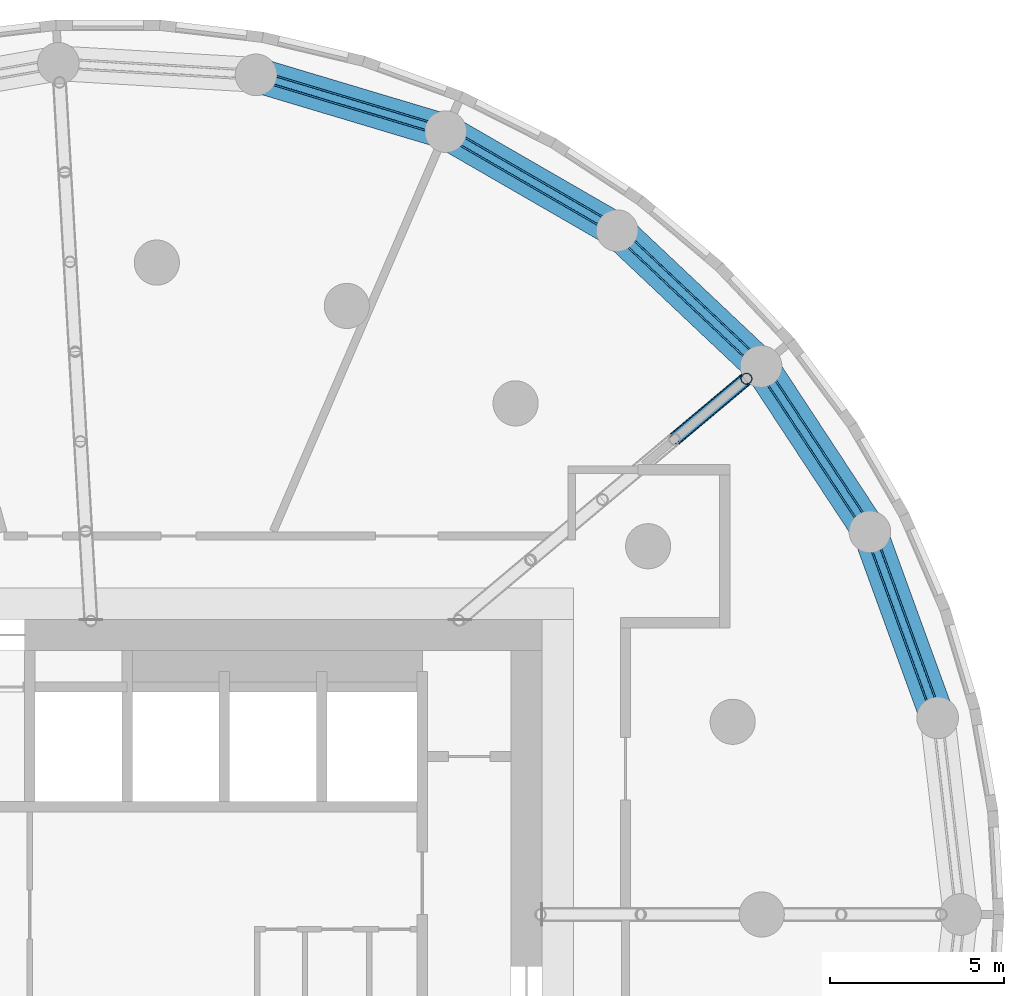
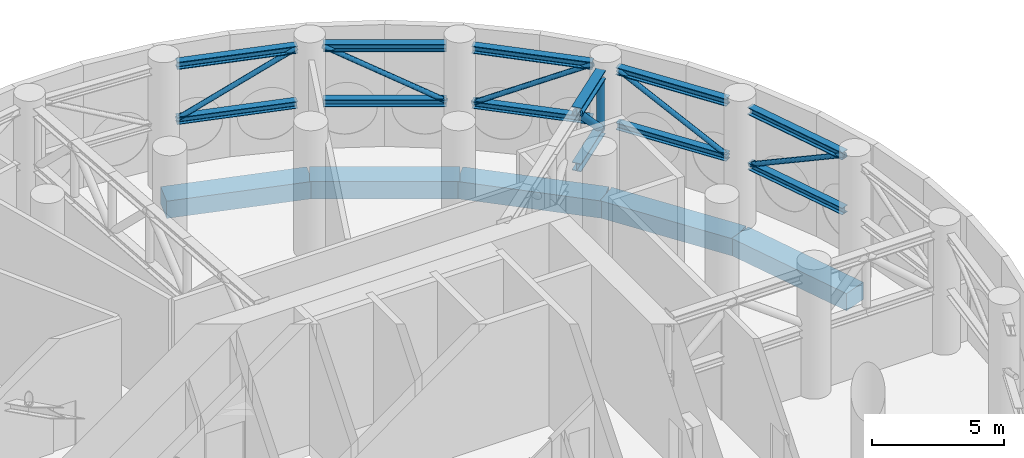
# One storey, part 6 of 15: 19 members, 5 beams.
"""IFC4 building model written with IfcOpenShell, lengths in metres."""

from ifc_helpers import new_model, si_unit, direction, frame, origin, origin_2d, place, context, subcontext, project, spatial, rectangle, hollow_circle, i_section, extrude, material, material_profile, profile_set, type_object, element, save


model = new_model("IFC4")

# Units and contexts
model_context = context("Model", 3, precision=1e-05, world=origin(), true_north=direction((0.0, 1.0)))
body_context = subcontext(model_context, "Body", "Model", "MODEL_VIEW")
ifc_project = project(units=[si_unit("LENGTHUNIT", "METRE"), si_unit("AREAUNIT", "SQUARE_METRE"), si_unit("VOLUMEUNIT", "CUBIC_METRE"), si_unit("PLANEANGLEUNIT", "RADIAN"), si_unit("MASSUNIT", "GRAM", prefix="KILO")], contexts=[model_context])

# Site, building, storey
site_placement = place(None, origin())
site = spatial("IfcSite", under=ifc_project, at=site_placement, CompositionType="ELEMENT")
building_placement = place(site_placement, origin())
building = spatial("IfcBuilding", under=site, at=building_placement, Name="Tracery Tower", CompositionType="ELEMENT")
storey_placement = place(building_placement, frame((0.0, 0.0, 225.0)))
storey = spatial("IfcBuildingStorey", under=building, at=storey_placement, Name="L58 Plant", CompositionType="ELEMENT", Elevation=225.0)

# Members
ifc_material_1 = material(Name="Steel S355", Category="steel")
ifc_material_profile_1 = material_profile(ifc_material_1, i_section(OverallWidth=0.30908203125, OverallDepth=0.320556640625, WebThickness=0.013916015625, FlangeThickness=0.021728515625, FilletRadius=0.01513671875, at=origin_2d()), Name="UKC 305x305x137")
ifc_profile_set_1 = profile_set([ifc_material_profile_1], Name="Steel S355")
member_type_1 = type_object("IfcMemberType", Name="Belt truss bottom chord UKC 305x305x137", PredefinedType="CHORD", material=ifc_profile_set_1)
for number, where, z_axis, x_axis, name in (
    (1, (23.715087890625, 6.130859375, 2.88720703125), (-0.342026676886, 0.939690242739, 0.0), (-0.939690242739, -0.342026676886, 0.0), "Belt truss bottom chord 2"),
    (2, (21.661865234375, 11.434814453125, 2.88720703125), (-0.549510591542, 0.835486750214, 0.0), (-0.835486750214, -0.549510591542, 0.0), "Belt truss bottom chord 3"),
):
    element("IfcMember", number, at=place(storey_placement, frame(where, z_axis=z_axis, x_axis=x_axis)), inside=storey, type_object=member_type_1, Name=name, PredefinedType="CHORD", context=body_context, shape_type="SweptSolid", body=[
        extrude(i_section(OverallWidth=0.30908203125, OverallDepth=0.320556640625, WebThickness=0.013916015625, FlangeThickness=0.021728515625, FilletRadius=0.01513671875, at=origin_2d()), origin(), (0.0, 0.0, 1.0), 4.69970703125),
    ])
member_1_placement = place(storey_placement, frame((18.44091796875, 16.1220703125, 2.88720703125), z_axis=(-0.727354510107, 0.686261915472, 0.0), x_axis=(-0.686261915472, -0.727354510107, 0.0)))
element("IfcMember", 3, at=member_1_placement, inside=storey, type_object=member_type_1, Name="Belt truss bottom chord 4", PredefinedType="CHORD", context=body_context, shape_type="SweptSolid", body=[
    extrude(i_section(OverallWidth=0.30908203125, OverallDepth=0.320556640625, WebThickness=0.013916015625, FlangeThickness=0.021728515625, FilletRadius=0.01513671875, at=origin_2d()), origin(), (0.0, 0.0, 1.0), 4.699462890625),
])
for number, where, z_axis, x_axis, name in (
    (4, (14.225830078125, 19.940185546875, 2.88720703125), (-0.866025546345, 0.499999753078, 0.0), (-0.499999753078, -0.866025546345, 0.0), "Belt truss bottom chord 5"),
    (5, (9.243896484375, 22.68359375, 2.88720703125), (-0.95798769933, 0.286809288434, 0.0), (-0.286809288434, -0.95798769933, 0.0), "Belt truss bottom chord 6"),
):
    element("IfcMember", number, at=place(storey_placement, frame(where, z_axis=z_axis, x_axis=x_axis)), inside=storey, type_object=member_type_1, Name=name, PredefinedType="CHORD", context=body_context, shape_type="SweptSolid", body=[
        extrude(i_section(OverallWidth=0.30908203125, OverallDepth=0.320556640625, WebThickness=0.013916015625, FlangeThickness=0.021728515625, FilletRadius=0.01513671875, at=origin_2d()), origin(), (0.0, 0.0, 1.0), 4.69970703125),
    ])
ifc_material_2 = material(Name="Steel S355", Category="steel")
ifc_material_profile_2 = material_profile(ifc_material_2, hollow_circle(Radius=0.109619140625, WallThickness=0.010009765625, at=origin_2d()), Name="CHS 219.1x10")
ifc_profile_set_2 = profile_set([ifc_material_profile_2], Name="Steel S355")
member_type_2 = type_object("IfcMemberType", Name="Belt truss diagonal CHS 219.1x10", PredefinedType="BRACE", material=ifc_profile_set_2)
for number, where, z_axis, x_axis, name in (
    (6, (23.715087890625, 6.130859375, 5.44677734375), (-0.30036845396, 0.825237691933, -0.478290229545), (-0.939690242739, -0.342026676886, 0.0), "Belt truss diagonal 2"),
    (7, (21.661865234375, 11.434814453125, 2.88720703125), (-0.482580611322, 0.733725087152, 0.478292222453), (-0.835486750214, -0.549510591542, 0.0), "Belt truss diagonal 3"),
):
    element("IfcMember", number, at=place(storey_placement, frame(where, z_axis=z_axis, x_axis=x_axis)), inside=storey, type_object=member_type_2, Name=name, PredefinedType="BRACE", context=body_context, shape_type="SweptSolid", body=[
        extrude(hollow_circle(Radius=0.109619140625, WallThickness=0.010009765625, at=origin_2d()), origin(), (0.0, 0.0, 1.0), 5.3515625),
    ])
member_2_placement = place(storey_placement, frame((18.44091796875, 16.1220703125, 5.44677734375), z_axis=(-0.638758368951, 0.602671098767, -0.478304602534), x_axis=(-0.686261915472, -0.727354510107, 0.0)))
element("IfcMember", 8, at=member_2_placement, inside=storey, type_object=member_type_2, Name="Belt truss diagonal 4", PredefinedType="BRACE", context=body_context, shape_type="SweptSolid", body=[
    extrude(hollow_circle(Radius=0.109619140625, WallThickness=0.010009765625, at=origin_2d()), origin(), (0.0, 0.0, 1.0), 5.351318359375),
])
for number, where, z_axis, x_axis, name in (
    (9, (14.225830078125, 19.940185546875, 2.88720703125), (-0.760545664119, 0.439100954781, 0.478289289342), (-0.499999753078, -0.866025546345, 0.0), "Belt truss diagonal 5"),
    (10, (9.243896484375, 22.68359375, 5.44677734375), (-0.841304200319, 0.251875738298, -0.478294736519), (-0.286809288434, -0.95798769933, 0.0), "Belt truss diagonal 6"),
):
    element("IfcMember", number, at=place(storey_placement, frame(where, z_axis=z_axis, x_axis=x_axis)), inside=storey, type_object=member_type_2, Name=name, PredefinedType="BRACE", context=body_context, shape_type="SweptSolid", body=[
        extrude(hollow_circle(Radius=0.109619140625, WallThickness=0.010009765625, at=origin_2d()), origin(), (0.0, 0.0, 1.0), 5.3515625),
    ])
ifc_material_3 = material(Name="Steel S355", Category="steel")
ifc_material_profile_3 = material_profile(ifc_material_3, i_section(OverallWidth=0.314453125, OverallDepth=0.33984375, WebThickness=0.01904296875, FlangeThickness=0.031494140625, FilletRadius=0.01513671875, at=origin_2d()), Name="UKC 305x305x198")
ifc_profile_set_3 = profile_set([ifc_material_profile_3], Name="Steel S355")
member_type_3 = type_object("IfcMemberType", Name="Belt truss top chord UKC 305x305x198", PredefinedType="CHORD", material=ifc_profile_set_3)
for number, where, z_axis, x_axis, name in (
    (11, (23.715087890625, 6.130859375, 5.44677734375), (-0.342026676886, 0.939690242739, 0.0), (-0.939690242739, -0.342026676886, 0.0), "Belt truss top chord 2"),
    (12, (21.661865234375, 11.434814453125, 5.44677734375), (-0.549510591542, 0.835486750214, 0.0), (-0.835486750214, -0.549510591542, 0.0), "Belt truss top chord 3"),
):
    element("IfcMember", number, at=place(storey_placement, frame(where, z_axis=z_axis, x_axis=x_axis)), inside=storey, type_object=member_type_3, Name=name, PredefinedType="CHORD", context=body_context, shape_type="SweptSolid", body=[
        extrude(i_section(OverallWidth=0.314453125, OverallDepth=0.33984375, WebThickness=0.01904296875, FlangeThickness=0.031494140625, FilletRadius=0.01513671875, at=origin_2d()), origin(), (0.0, 0.0, 1.0), 4.69970703125),
    ])
member_3_placement = place(storey_placement, frame((18.44091796875, 16.1220703125, 5.44677734375), z_axis=(-0.727354510107, 0.686261915472, 0.0), x_axis=(-0.686261915472, -0.727354510107, 0.0)))
element("IfcMember", 13, at=member_3_placement, inside=storey, type_object=member_type_3, Name="Belt truss top chord 4", PredefinedType="CHORD", context=body_context, shape_type="SweptSolid", body=[
    extrude(i_section(OverallWidth=0.314453125, OverallDepth=0.33984375, WebThickness=0.01904296875, FlangeThickness=0.031494140625, FilletRadius=0.01513671875, at=origin_2d()), origin(), (0.0, 0.0, 1.0), 4.699462890625),
])
for number, where, z_axis, x_axis, name in (
    (14, (14.225830078125, 19.940185546875, 5.44677734375), (-0.866025546345, 0.499999753078, 0.0), (-0.499999753078, -0.866025546345, 0.0), "Belt truss top chord 5"),
    (15, (9.243896484375, 22.68359375, 5.44677734375), (-0.95798769933, 0.286809288434, 0.0), (-0.286809288434, -0.95798769933, 0.0), "Belt truss top chord 6"),
):
    element("IfcMember", number, at=place(storey_placement, frame(where, z_axis=z_axis, x_axis=x_axis)), inside=storey, type_object=member_type_3, Name=name, PredefinedType="CHORD", context=body_context, shape_type="SweptSolid", body=[
        extrude(i_section(OverallWidth=0.314453125, OverallDepth=0.33984375, WebThickness=0.01904296875, FlangeThickness=0.031494140625, FilletRadius=0.01513671875, at=origin_2d()), origin(), (0.0, 0.0, 1.0), 4.69970703125),
    ])
ifc_material_4 = material(Name="Steel S355", Category="steel")
ifc_material_profile_4 = material_profile(ifc_material_4, i_section(OverallWidth=0.374755859375, OverallDepth=0.37451171875, WebThickness=0.0166015625, FlangeThickness=0.027099609375, FilletRadius=0.01513671875, at=origin_2d()), Name="UKC 356x368x202")
ifc_profile_set_4 = profile_set([ifc_material_profile_4], Name="Steel S355")
member_type_4 = type_object("IfcMemberType", Name="Outrigger bottom chord UKC 356x368x202", PredefinedType="CHORD", material=ifc_profile_set_4)
member_4_placement = place(storey_placement, frame((16.310302734375, 13.68603515625, 2.88720703125), z_axis=(0.766035334846, 0.642798464348, 0.0), x_axis=(-0.642798464348, 0.766035334846, 0.0)))
element("IfcMember", 16, at=member_4_placement, inside=storey, type_object=member_type_4, Name="Outrigger 2 bottom chord 4", PredefinedType="CHORD", context=body_context, shape_type="SweptSolid", body=[
    extrude(i_section(OverallWidth=0.374755859375, OverallDepth=0.37451171875, WebThickness=0.0166015625, FlangeThickness=0.027099609375, FilletRadius=0.01513671875, at=origin_2d()), origin(), (0.0, 0.0, 1.0), 2.7060546875),
])
ifc_material_5 = material(Name="Steel S355", Category="steel")
ifc_material_profile_5 = material_profile(ifc_material_5, hollow_circle(Radius=0.161865234375, WallThickness=0.01611328125, at=origin_2d()), Name="CHS 323.9x16")
ifc_profile_set_5 = profile_set([ifc_material_profile_5], Name="Steel S355")
member_type_5 = type_object("IfcMemberType", Name="Outrigger diagonal CHS 323.9x16", PredefinedType="BRACE", material=ifc_profile_set_5)
member_5_placement = place(storey_placement, frame((16.310302734375, 13.68603515625, 5.44677734375), z_axis=(0.556530336779, 0.466997838836, -0.687158644541), x_axis=(-0.642798464348, 0.766035334846, 0.0)))
element("IfcMember", 17, at=member_5_placement, inside=storey, type_object=member_type_5, Name="Outrigger 2 diagonal 4", PredefinedType="BRACE", context=body_context, shape_type="SweptSolid", body=[
    extrude(hollow_circle(Radius=0.161865234375, WallThickness=0.01611328125, at=origin_2d()), origin(), (0.0, 0.0, 1.0), 3.724853515625),
])
ifc_material_6 = material(Name="Steel S355", Category="steel")
ifc_material_profile_6 = material_profile(ifc_material_6, hollow_circle(Radius=0.161865234375, WallThickness=0.01611328125, at=origin_2d()), Name="CHS 323.9x16")
ifc_profile_set_6 = profile_set([ifc_material_profile_6], Name="Steel S355")
member_type_6 = type_object("IfcMemberType", Name="Outrigger post CHS 323.9x16", PredefinedType="POST", material=ifc_profile_set_6)
member_6_placement = place(storey_placement, frame((18.38330078125, 15.425537109375, 3.07470703125), z_axis=(0.0, 0.0, 1.0), x_axis=(1.0, 0.0, 0.0)))
element("IfcMember", 18, at=member_6_placement, inside=storey, type_object=member_type_6, Name="Outrigger 2 post 5", PredefinedType="POST", context=body_context, shape_type="SweptSolid", body=[
    extrude(hollow_circle(Radius=0.161865234375, WallThickness=0.01611328125, at=origin_2d()), origin(), (0.0, 0.0, 1.0), 2.1689453125),
])
ifc_material_7 = material(Name="Steel S355", Category="steel")
ifc_material_profile_7 = material_profile(ifc_material_7, i_section(OverallWidth=0.403076171875, OverallDepth=0.406494140625, WebThickness=0.026611328125, FlangeThickness=0.04296875, FilletRadius=0.01513671875, at=origin_2d()), Name="UKC 356x406x340")
ifc_profile_set_7 = profile_set([ifc_material_profile_7], Name="Steel S355")
member_type_7 = type_object("IfcMemberType", Name="Outrigger top chord UKC 356x406x340", PredefinedType="CHORD", material=ifc_profile_set_7)
member_7_placement = place(storey_placement, frame((16.310302734375, 13.68603515625, 5.44677734375), z_axis=(0.766035334846, 0.642798464348, 0.0), x_axis=(-0.642798464348, 0.766035334846, 0.0)))
element("IfcMember", 19, at=member_7_placement, inside=storey, type_object=member_type_7, Name="Outrigger 2 top chord 4", PredefinedType="CHORD", context=body_context, shape_type="SweptSolid", body=[
    extrude(i_section(OverallWidth=0.403076171875, OverallDepth=0.406494140625, WebThickness=0.026611328125, FlangeThickness=0.04296875, FilletRadius=0.01513671875, at=origin_2d()), origin(), (0.0, 0.0, 1.0), 2.7060546875),
])

# Beams
ifc_material_8 = material(Name="Concrete C50/60", Category="concrete")
ifc_material_profile_8 = material_profile(ifc_material_8, rectangle(XDim=1.0, YDim=0.800048828125, at=origin_2d()), Name="RC 1000x800")
ifc_profile_set_8 = profile_set([ifc_material_profile_8], Name="Concrete C50/60")
beam_type = type_object("IfcBeamType", Name="Plant level band beam 1000x800", PredefinedType="BEAM", material=ifc_profile_set_8)
beam_placement = place(storey_placement, frame((23.885986328125, 5.6611328125, -0.89990234375), z_axis=(-0.342028502279, 0.939689578334, 0.0), x_axis=(-0.939689578334, -0.342028502279, 0.0)))
element("IfcBeam", 20, at=beam_placement, inside=storey, type_object=beam_type, Name="Perimeter beam 1.01 under L58 Plant", PredefinedType="BEAM", context=body_context, shape_type="SweptSolid", body=[
    extrude(rectangle(XDim=1.0, YDim=0.800048828125, at=origin_2d()), origin(), (0.0, 0.0, 1.0), 5.69970703125),
])
for number, where, z_axis, x_axis, name in (
    (21, (21.9365234375, 11.01708984375, -0.89990234375), (-0.549489832182, 0.835500403548, 0.0), (-0.835500403548, -0.549489832182, 0.0), "Perimeter beam 1.02 under L58 Plant"),
    (22, (18.8046875, 15.779052734375, -0.89990234375), (-0.727389618263, 0.686224703172, 0.0), (-0.686224703172, -0.727389618263, 0.0), "Perimeter beam 1.03 under L58 Plant"),
):
    element("IfcBeam", number, at=place(storey_placement, frame(where, z_axis=z_axis, x_axis=x_axis)), inside=storey, type_object=beam_type, Name=name, PredefinedType="BEAM", context=body_context, shape_type="SweptSolid", body=[
        extrude(rectangle(XDim=1.0, YDim=0.800048828125, at=origin_2d()), origin(), (0.0, 0.0, 1.0), 5.699462890625),
    ])
for number, where, z_axis, x_axis, name in (
    (23, (14.658935546875, 19.690185546875, -0.89990234375), (-0.866022950691, 0.500004248858, 0.0), (-0.500004248858, -0.866022950691, 0.0), "Perimeter beam 1.04 under L58 Plant"),
    (24, (9.722900390625, 22.5400390625, -0.89990234375), (-0.957985292634, 0.28681732705, 0.0), (-0.28681732705, -0.957985292634, 0.0), "Perimeter beam 1.05 under L58 Plant"),
):
    element("IfcBeam", number, at=place(storey_placement, frame(where, z_axis=z_axis, x_axis=x_axis)), inside=storey, type_object=beam_type, Name=name, PredefinedType="BEAM", context=body_context, shape_type="SweptSolid", body=[
        extrude(rectangle(XDim=1.0, YDim=0.800048828125, at=origin_2d()), origin(), (0.0, 0.0, 1.0), 5.69970703125),
    ])

save(model, "model.ifc")
